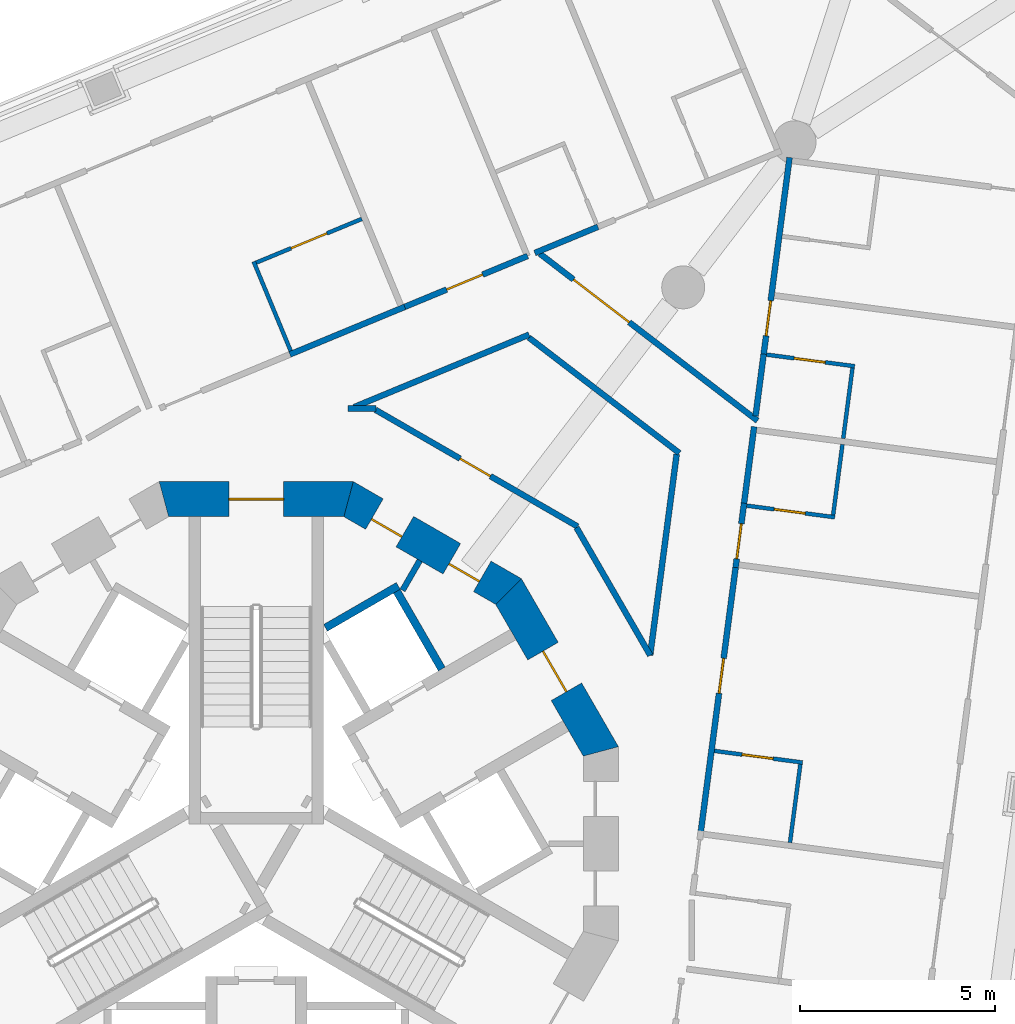
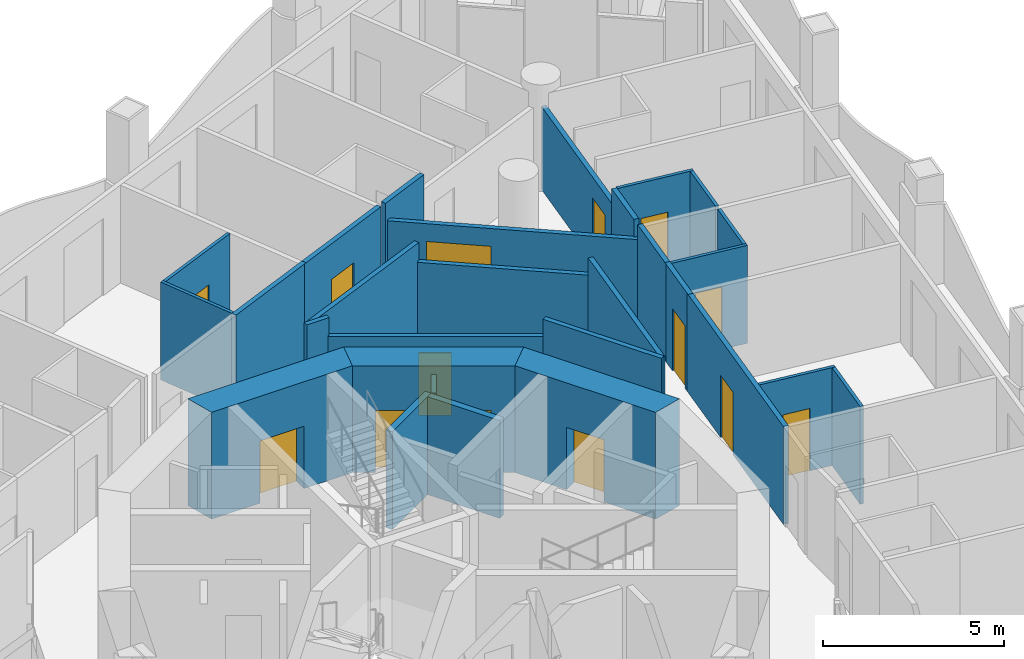
# One storey, part 9 of 18: 29 walls, 14 doors, 14 openings.
"""IFC4 building model written with IfcOpenShell, lengths in metres."""

from ifc_helpers import new_model, si_unit, direction, frame, frame_2d, origin, place, context, subcontext, project, spatial, polyline, rectangle, outline, extrude, material, layer, layer_set, type_object, element, fill, save


model = new_model("IFC4")

# Units and contexts
model_context = context("Model", 3, precision=1e-05, world=origin(), true_north=direction((0.0, 1.0)))
body_context = subcontext(model_context, "Body", "Model", "MODEL_VIEW")
ifc_project = project(units=[si_unit("LENGTHUNIT", "METRE"), si_unit("AREAUNIT", "SQUARE_METRE"), si_unit("VOLUMEUNIT", "CUBIC_METRE"), si_unit("PLANEANGLEUNIT", "RADIAN"), si_unit("MASSUNIT", "GRAM", prefix="KILO")], contexts=[model_context])

# Site, building, storey
site_placement = place(None, origin())
site = spatial("IfcSite", under=ifc_project, at=site_placement, CompositionType="ELEMENT")
building_placement = place(site_placement, origin())
building = spatial("IfcBuilding", under=site, at=building_placement, Name="Trine Commons Tower", CompositionType="ELEMENT")
storey_placement = place(building_placement, frame((0.0, 0.0, 145.800048828125)))
storey = spatial("IfcBuildingStorey", under=building, at=storey_placement, Name="L37", CompositionType="ELEMENT", Elevation=145.800048828125)

# Wall
ifc_material_1 = material(Name="Plasterboard partition on steel studs", Category="steel")
ifc_layer_1 = layer(ifc_material_1, 0.14990234375)
ifc_layer_set_1 = layer_set([ifc_layer_1], Name="Plasterboard partition on steel studs")
wall_type_1 = type_object("IfcWallType", Name="Core room partition 150 mm, EI 60", PredefinedType="PARTITIONING", material=ifc_layer_set_1)
wall_1_placement = place(storey_placement, frame((84.18603515625, 69.7509765625, 0.0), z_axis=(0.0, 0.0, 1.0), x_axis=(-0.499890179513, -0.866088799389, 0.0)))
element("IfcWall", 1, at=wall_1_placement, inside=storey, type_object=wall_type_1, Name="Core room partition L37", PredefinedType="PARTITIONING", context=body_context, shape_type="SweptSolid", body=[
    extrude(rectangle(XDim=0.882080078125, YDim=0.14990234375, at=frame_2d((0.44091796875, 0.0))), origin(), (0.0, 0.0, 1.0), 3.300048828125),
])

# Wall, opening, door
ifc_material_2 = material(Name="Concrete C70/85", Category="concrete")
ifc_layer_2 = layer(ifc_material_2, 0.89990234375)
ifc_layer_set_2 = layer_set([ifc_layer_2], Name="Concrete C70/85")
wall_type_2 = type_object("IfcWallType", Name="RC shear wall 900 mm, C70/85", PredefinedType="SHEAR", material=ifc_layer_set_2)
wall_2_placement = place(storey_placement, frame((88.88330078125, 64.759765625, 0.0), z_axis=(0.0, 0.0, 1.0), x_axis=(-0.500038571144, 0.866003133579, 0.0)))
wall_2 = element("IfcWall", 2, at=wall_2_placement, inside=storey, type_object=wall_type_2, Name="Core wall CWD-02 L37", PredefinedType="SHEAR", context=body_context, shape_type="SweptSolid", body=[
    extrude(outline(polyline([(0.0, -0.449951171875), (4.96923828125, -0.449951171875), (4.72802734375, 0.449951171875), (0.2412109375, 0.449951171875), (0.0, -0.449951171875)])), origin(), (0.0, 0.0, 1.0), 3.599853515625),
])
opening_1_placement = place(wall_2_placement, frame((1.884521484375, 0.0, 0.0)))
opening_1 = element("IfcOpeningElement", 3, at=opening_1_placement, cuts=wall_2, Name="Opening K12.04", PredefinedType="OPENING", context=body_context, shape_type="SweptSolid", body=[
    extrude(rectangle(XDim=1.199951171875, YDim=2.10009765625, at=frame_2d((0.60009765625, 1.050048828125))), frame((0.0, 0.4599609375, 0.0), z_axis=(0.0, -1.0, 0.0), x_axis=(1.0, 0.0, 0.0)), (0.0, 0.0, 1.0), 0.919921875),
])
ifc_material_3 = material(Name="Steel door leaves, fire-rated", Category="steel")
door_type_1 = type_object("IfcDoorType", Name="Lobby door, double leaf 1200 x 2100, FD60", OperationType="DOUBLE_DOOR_SINGLE_SWING", PredefinedType="DOOR", material=ifc_material_3)
door_1_placement = place(opening_1_placement, origin())
door_1 = element("IfcDoor", 4, at=door_1_placement, inside=storey, type_object=door_type_1, Name="Lobby door, Passenger lift lobby A L37", OperationType="DOUBLE_DOOR_SINGLE_SWING", OverallHeight=2.10009765625, OverallWidth=1.199951171875, PredefinedType="DOOR", context=body_context, shape_type="SweptSolid", body=[
    extrude(rectangle(XDim=1.199951171875, YDim=2.10009765625, at=frame_2d((0.60009765625, 1.050048828125))), frame((0.0, 0.02490234375, 0.0), z_axis=(0.0, -1.0, 0.0), x_axis=(1.0, 0.0, 0.0)), (0.0, 0.0, 1.0), 0.050048828125),
])
fill(opening_1, door_1)

# Wall, openings, doors
wall_3_placement = place(storey_placement, frame((86.563232421875, 68.8984375, 0.0), z_axis=(0.0, 0.0, 1.0), x_axis=(-0.866003133579, 0.500038571144, 0.0)))
wall_3 = element("IfcWall", 5, at=wall_3_placement, inside=storey, type_object=wall_type_2, Name="Core wall CWD-03 L37", PredefinedType="SHEAR", context=body_context, shape_type="SweptSolid", body=[
    extrude(outline(polyline([(0.0, -0.449951171875), (4.96923828125, -0.449951171875), (4.72802734375, 0.449951171875), (0.2412109375, 0.449951171875), (0.0, -0.449951171875)])), origin(), (0.0, 0.0, 1.0), 3.599853515625),
])
opening_2_placement = place(wall_3_placement, frame((0.89599609375, 0.0, 0.0)))
opening_2 = element("IfcOpeningElement", 6, at=opening_2_placement, cuts=wall_3, Name="Opening K12.12", PredefinedType="OPENING", context=body_context, shape_type="SweptSolid", body=[
    extrude(rectangle(XDim=0.89990234375, YDim=2.10009765625, at=frame_2d((0.449951171875, 1.050048828125))), frame((0.0, 0.4599609375, 0.0), z_axis=(0.0, -1.0, 0.0), x_axis=(1.0, 0.0, 0.0)), (0.0, 0.0, 1.0), 0.919921875),
])
opening_3_placement = place(wall_3_placement, frame((3.18505859375, 0.0, 0.0)))
opening_3 = element("IfcOpeningElement", 7, at=opening_3_placement, cuts=wall_3, Name="Opening K12.13", PredefinedType="OPENING", context=body_context, shape_type="SweptSolid", body=[
    extrude(rectangle(XDim=0.89990234375, YDim=2.10009765625, at=frame_2d((0.449951171875, 1.050048828125))), frame((0.0, 0.4599609375, 0.0), z_axis=(0.0, -1.0, 0.0), x_axis=(1.0, 0.0, 0.0)), (0.0, 0.0, 1.0), 0.919921875),
])
ifc_material_4 = material(Name="Steel door leaf, fire-rated", Category="steel")
door_type_2 = type_object("IfcDoorType", Name="Core room door, single leaf 900 x 2100, FD30S", OperationType="SINGLE_SWING_LEFT", PredefinedType="DOOR", material=ifc_material_4)
door_2_placement = place(opening_2_placement, origin())
door_2 = element("IfcDoor", 8, at=door_2_placement, inside=storey, type_object=door_type_2, Name="Door to Parcel store L37", OperationType="SINGLE_SWING_LEFT", OverallHeight=2.10009765625, OverallWidth=0.89990234375, PredefinedType="DOOR", context=body_context, shape_type="SweptSolid", body=[
    extrude(rectangle(XDim=0.89990234375, YDim=2.10009765625, at=frame_2d((0.449951171875, 1.050048828125))), frame((0.0, 0.1748046875, 0.0), z_axis=(0.0, -1.0, 0.0), x_axis=(1.0, 0.0, 0.0)), (0.0, 0.0, 1.0), 0.050048828125),
])
fill(opening_2, door_2)
door_3_placement = place(opening_3_placement, origin())
door_3 = element("IfcDoor", 9, at=door_3_placement, inside=storey, type_object=door_type_2, Name="Door to Print room L37", OperationType="SINGLE_SWING_RIGHT", OverallHeight=2.10009765625, OverallWidth=0.89990234375, PredefinedType="DOOR", context=body_context, shape_type="SweptSolid", body=[
    extrude(rectangle(XDim=0.89990234375, YDim=2.10009765625, at=frame_2d((0.449951171875, 1.050048828125))), frame((0.0, 0.1748046875, 0.0), z_axis=(0.0, -1.0, 0.0), x_axis=(1.0, 0.0, 0.0)), (0.0, 0.0, 1.0), 0.050048828125),
])
fill(opening_3, door_3)

# Wall, opening, door
wall_4_placement = place(storey_placement, frame((82.484619140625, 71.322998046875, 0.0), z_axis=(0.0, 0.0, 1.0), x_axis=(-1.0, 0.0, 0.0)))
wall_4 = element("IfcWall", 10, at=wall_4_placement, inside=storey, type_object=wall_type_2, Name="Core wall CWD-04 L37", PredefinedType="SHEAR", context=body_context, shape_type="SweptSolid", body=[
    extrude(outline(polyline([(0.0, -0.449951171875), (4.969482421875, -0.449951171875), (4.728271484375, 0.449951171875), (0.2412109375, 0.449951171875), (0.0, -0.449951171875)])), origin(), (0.0, 0.0, 1.0), 3.599853515625),
])
opening_4_placement = place(wall_4_placement, frame((1.78466796875, 0.0, 0.0)))
opening_4 = element("IfcOpeningElement", 11, at=opening_4_placement, cuts=wall_4, Name="Opening K12.01", PredefinedType="OPENING", context=body_context, shape_type="SweptSolid", body=[
    extrude(rectangle(XDim=1.39990234375, YDim=2.10009765625, at=frame_2d((0.699951171875, 1.050048828125))), frame((0.0, 0.4599609375, 0.0), z_axis=(0.0, -1.0, 0.0), x_axis=(1.0, 0.0, 0.0)), (0.0, 0.0, 1.0), 0.919921875),
])
door_type_3 = type_object("IfcDoorType", Name="Stair door, double leaf 1400 x 2100, FD90", OperationType="DOUBLE_DOOR_SINGLE_SWING", PredefinedType="DOOR", material=ifc_material_3)
door_4_placement = place(opening_4_placement, origin())
door_4 = element("IfcDoor", 12, at=door_4_placement, inside=storey, type_object=door_type_3, Name="Stair door to Exit stair ST1B L37", OperationType="DOUBLE_DOOR_SINGLE_SWING", OverallHeight=2.10009765625, OverallWidth=1.39990234375, PredefinedType="DOOR", context=body_context, shape_type="SweptSolid", body=[
    extrude(rectangle(XDim=1.39990234375, YDim=2.10009765625, at=frame_2d((0.699951171875, 1.050048828125))), frame((0.0, 0.02490234375, 0.0), z_axis=(0.0, -1.0, 0.0), x_axis=(1.0, 0.0, 0.0)), (0.0, 0.0, 1.0), 0.050048828125),
])
fill(opening_4, door_4)

# Walls
ifc_material_5 = material(Name="Fire-rated gypsum shaft wall system")
ifc_layer_3 = layer(ifc_material_5, 0.199951171875)
ifc_layer_set_3 = layer_set([ifc_layer_3], Name="Fire-rated gypsum shaft wall system")
wall_type_3 = type_object("IfcWallType", Name="Shaft wall 200 mm, EI 120", PredefinedType="PARTITIONING", material=ifc_layer_set_3)
wall_5_placement = place(storey_placement, frame((81.77490234375, 68.028076171875, 0.0), z_axis=(0.0, 0.0, 1.0), x_axis=(0.866130725101, 0.499817533742, 0.0)))
element("IfcWall", 13, at=wall_5_placement, inside=storey, type_object=wall_type_3, Name="Shaft wall L37", PredefinedType="PARTITIONING", context=body_context, shape_type="SweptSolid", body=[
    extrude(rectangle(XDim=2.148681640625, YDim=0.199951171875, at=frame_2d((1.07421875, 0.0))), origin(), (0.0, 0.0, 1.0), 3.300048828125),
])
wall_6_placement = place(storey_placement, frame((84.7490234375, 66.97412109375, 0.0), z_axis=(0.0, 0.0, 1.0), x_axis=(-0.500136062276, 0.86594683394, 0.0)))
element("IfcWall", 14, at=wall_6_placement, inside=storey, type_object=wall_type_3, Name="Shaft wall L37", PredefinedType="PARTITIONING", context=body_context, shape_type="SweptSolid", body=[
    extrude(rectangle(XDim=2.299072265625, YDim=0.199951171875, at=frame_2d((1.1494140625, 0.0))), origin(), (0.0, 0.0, 1.0), 3.300048828125),
])
ifc_material_6 = material(Name="Gypsum plasterboard on steel stud", Category="steel")
ifc_layer_4 = layer(ifc_material_6, 0.14990234375)
ifc_layer_set_4 = layer_set([ifc_layer_4], Name="Gypsum plasterboard on steel stud")
wall_type_4 = type_object("IfcWallType", Name="Unit and corridor wall 150 mm, EI 60", PredefinedType="PARTITIONING", material=ifc_layer_set_4)
wall_7_placement = place(storey_placement, frame((80.86181640625, 75.02685546875, 0.0), z_axis=(0.0, 0.0, 1.0), x_axis=(0.923792409305, 0.382893698709, 0.0)))
element("IfcWall", 15, at=wall_7_placement, inside=storey, type_object=wall_type_4, Name="Partition 075", PredefinedType="PARTITIONING", context=body_context, shape_type="SweptSolid", body=[
    extrude(rectangle(XDim=3.18310546875, YDim=0.14990234375, at=frame_2d((1.591552734375, 0.0))), origin(), (0.0, 0.0, 1.0), 3.300048828125),
])
wall_8_placement = place(storey_placement, frame((82.35205078125, 73.64794921875, 0.0), z_axis=(0.0, 0.0, 1.0), x_axis=(1.0, 0.0, 0.0)))
element("IfcWall", 16, at=wall_8_placement, inside=storey, type_object=wall_type_4, Name="Partition 080", PredefinedType="PARTITIONING", context=body_context, shape_type="SweptSolid", body=[
    extrude(rectangle(XDim=0.7099609375, YDim=0.14990234375, at=frame_2d((0.35498046875, 0.0))), origin(), (0.0, 0.0, 1.0), 3.300048828125),
])
wall_9_placement = place(storey_placement, frame((82.500244140625, 73.6767578125, 0.0), z_axis=(0.0, 0.0, 1.0), x_axis=(0.923900404771, 0.382633038384, 0.0)))
element("IfcWall", 17, at=wall_9_placement, inside=storey, type_object=wall_type_4, Name="Partition 081", PredefinedType="PARTITIONING", context=body_context, shape_type="SweptSolid", body=[
    extrude(rectangle(XDim=4.855712890625, YDim=0.14990234375, at=frame_2d((2.427734375, 0.0))), origin(), (0.0, 0.0, 1.0), 3.300048828125),
])

# Wall, opening, door
wall_10_placement = place(storey_placement, frame((83.052001953125, 73.610595703125, 0.0), z_axis=(0.0, 0.0, 1.0), x_axis=(0.866039280689, -0.499975963725, 0.0)))
wall_10 = element("IfcWall", 18, at=wall_10_placement, inside=storey, type_object=wall_type_4, Name="Partition 084", PredefinedType="PARTITIONING", context=body_context, shape_type="SweptSolid", body=[
    extrude(rectangle(XDim=5.974365234375, YDim=0.14990234375, at=frame_2d((2.9873046875, 0.0))), origin(), (0.0, 0.0, 1.0), 2.699951171875),
])
opening_5_placement = place(wall_10_placement, frame((2.499755859375, 0.0, 0.0)))
opening_5 = element("IfcOpeningElement", 19, at=opening_5_placement, cuts=wall_10, Name="Opening D-4C34", PredefinedType="OPENING", context=body_context, shape_type="SweptSolid", body=[
    extrude(rectangle(XDim=0.89990234375, YDim=2.10009765625, at=frame_2d((0.449951171875, 1.050048828125))), frame((0.0, 0.0849609375, 0.0), z_axis=(0.0, -1.0, 0.0), x_axis=(1.0, 0.0, 0.0)), (0.0, 0.0, 1.0), 0.169921875),
])
ifc_material_7 = material(Name="Timber fire door set", Category="wood")
door_type_4 = type_object("IfcDoorType", Name="Service door 900 x 2100, FD30S", OperationType="NOTDEFINED", PredefinedType="DOOR", material=ifc_material_7)
door_5_placement = place(opening_5_placement, origin())
door_5 = element("IfcDoor", 20, at=door_5_placement, inside=storey, type_object=door_type_4, Name="Door D-4C34", OperationType="SINGLE_SWING_LEFT", OverallHeight=2.10009765625, OverallWidth=0.89990234375, PredefinedType="DOOR", context=body_context, shape_type="SweptSolid", body=[
    extrude(rectangle(XDim=0.89990234375, YDim=2.10009765625, at=frame_2d((0.449951171875, 1.050048828125))), frame((0.0, 0.02490234375, 0.0), z_axis=(0.0, -1.0, 0.0), x_axis=(1.0, 0.0, 0.0)), (0.0, 0.0, 1.0), 0.050048828125),
])
fill(opening_5, door_5)

wall_11_placement = place(storey_placement, frame((83.72509765625, 76.212890625, 0.0), z_axis=(0.0, 0.0, 1.0), x_axis=(0.923773530594, 0.382939243449, 0.0)))
wall_11 = element("IfcWall", 21, at=wall_11_placement, inside=storey, type_object=wall_type_4, Name="Partition 087", PredefinedType="PARTITIONING", context=body_context, shape_type="SweptSolid", body=[
    extrude(rectangle(XDim=3.48681640625, YDim=0.14990234375, at=frame_2d((1.743408203125, 0.0))), origin(), (0.0, 0.0, 1.0), 3.300048828125),
])
opening_6_placement = place(wall_11_placement, frame((1.243408203125, 0.0, 0.0)))
opening_6 = element("IfcOpeningElement", 22, at=opening_6_placement, cuts=wall_11, Name="Opening D-4C11", PredefinedType="OPENING", context=body_context, shape_type="SweptSolid", body=[
    extrude(rectangle(XDim=1.0, YDim=2.10009765625, at=frame_2d((0.5, 1.050048828125))), frame((0.0, 0.0849609375, 0.0), z_axis=(0.0, -1.0, 0.0), x_axis=(1.0, 0.0, 0.0)), (0.0, 0.0, 1.0), 0.169921875),
])
ifc_material_8 = material(Name="Painted timber", Category="wood")
door_type_5 = type_object("IfcDoorType", Name="Amenity room door 1000 x 2100, NOT RATED", OperationType="NOTDEFINED", PredefinedType="DOOR", material=ifc_material_8)
door_6_placement = place(opening_6_placement, origin())
door_6 = element("IfcDoor", 23, at=door_6_placement, inside=storey, type_object=door_type_5, Name="Door D-4C11", OperationType="SINGLE_SWING_LEFT", OverallHeight=2.10009765625, OverallWidth=1.0, PredefinedType="DOOR", context=body_context, shape_type="SweptSolid", body=[
    extrude(rectangle(XDim=1.0, YDim=2.10009765625, at=frame_2d((0.5, 1.050048828125))), frame((0.0, 0.02490234375, 0.0), z_axis=(0.0, -1.0, 0.0), x_axis=(1.0, 0.0, 0.0)), (0.0, 0.0, 1.0), 0.050048828125),
])
fill(opening_6, door_6)

# Walls
wall_12_placement = place(storey_placement, frame((86.9765625, 75.46044921875, 0.0), z_axis=(0.0, 0.0, 1.0), x_axis=(0.79343006196, -0.608661430335, 0.0)))
element("IfcWall", 24, at=wall_12_placement, inside=storey, type_object=wall_type_4, Name="Partition 095", PredefinedType="PARTITIONING", context=body_context, shape_type="SweptSolid", body=[
    extrude(rectangle(XDim=4.85986328125, YDim=0.14990234375, at=frame_2d((2.429931640625, 0.0))), origin(), (0.0, 0.0, 1.0), 2.699951171875),
])
wall_13_placement = place(storey_placement, frame((87.130615234375, 77.624267578125, 0.0), z_axis=(0.0, 0.0, 1.0), x_axis=(0.923855258764, 0.382742029118, 0.0)))
element("IfcWall", 25, at=wall_13_placement, inside=storey, type_object=wall_type_4, Name="Partition 096", PredefinedType="PARTITIONING", context=body_context, shape_type="SweptSolid", body=[
    extrude(rectangle(XDim=1.749755859375, YDim=0.14990234375, at=frame_2d((0.875, 0.0))), origin(), (0.0, 0.0, 1.0), 3.300048828125),
])

# Wall, opening, door
wall_14_placement = place(storey_placement, frame((87.259521484375, 77.607421875, 0.0), z_axis=(0.0, 0.0, 1.0), x_axis=(0.79336631803, -0.608744515718, 0.0)))
wall_14 = element("IfcWall", 26, at=wall_14_placement, inside=storey, type_object=wall_type_4, Name="Partition 097", PredefinedType="PARTITIONING", context=body_context, shape_type="SweptSolid", body=[
    extrude(rectangle(XDim=7.0244140625, YDim=0.14990234375, at=frame_2d((3.51220703125, 0.0))), origin(), (0.0, 0.0, 1.0), 2.699951171875),
])
opening_7_placement = place(wall_14_placement, frame((1.086181640625, 0.0, 0.0)))
opening_7 = element("IfcOpeningElement", 27, at=opening_7_placement, cuts=wall_14, Name="Opening D-4C01", PredefinedType="OPENING", context=body_context, shape_type="SweptSolid", body=[
    extrude(rectangle(XDim=1.800048828125, YDim=2.10009765625, at=frame_2d((0.89990234375, 1.050048828125))), frame((0.0, 0.0849609375, 0.0), z_axis=(0.0, -1.0, 0.0), x_axis=(1.0, 0.0, 0.0)), (0.0, 0.0, 1.0), 0.169921875),
])
door_type_6 = type_object("IfcDoorType", Name="Cluster entrance door 1800 x 2100, double leaf, FD30S", OperationType="DOUBLE_DOOR_DOUBLE_SWING", PredefinedType="DOOR", material=ifc_material_7)
door_7_placement = place(opening_7_placement, origin())
door_7 = element("IfcDoor", 28, at=door_7_placement, inside=storey, type_object=door_type_6, Name="Door D-4C01", OperationType="DOUBLE_DOOR_DOUBLE_SWING", OverallHeight=2.10009765625, OverallWidth=1.800048828125, PredefinedType="DOOR", context=body_context, shape_type="SweptSolid", body=[
    extrude(rectangle(XDim=1.800048828125, YDim=2.10009765625, at=frame_2d((0.89990234375, 1.050048828125))), frame((0.0, 0.02490234375, 0.0), z_axis=(0.0, -1.0, 0.0), x_axis=(1.0, 0.0, 0.0)), (0.0, 0.0, 1.0), 0.050048828125),
])
fill(opening_7, door_7)

# Walls
wall_15_placement = place(storey_placement, frame((88.198486328125, 70.595947265625, 0.0), z_axis=(0.0, 0.0, 1.0), x_axis=(0.499871635049, -0.86609950264, 0.0)))
element("IfcWall", 29, at=wall_15_placement, inside=storey, type_object=wall_type_4, Name="Partition 104", PredefinedType="PARTITIONING", context=body_context, shape_type="SweptSolid", body=[
    extrude(rectangle(XDim=3.77783203125, YDim=0.14990234375, at=frame_2d((1.888916015625, 0.0))), origin(), (0.0, 0.0, 1.0), 3.300048828125),
])
wall_16_placement = place(storey_placement, frame((90.0849609375, 67.326904296875, 0.0), z_axis=(0.0, 0.0, 1.0), x_axis=(0.130647942506, 0.991428825039, 0.0)))
element("IfcWall", 30, at=wall_16_placement, inside=storey, type_object=wall_type_4, Name="Partition 115", PredefinedType="PARTITIONING", context=body_context, shape_type="SweptSolid", body=[
    extrude(rectangle(XDim=5.191162109375, YDim=0.14990234375, at=frame_2d((2.595703125, 0.0))), origin(), (0.0, 0.0, 1.0), 3.300048828125),
])

# Wall, opening, door
wall_17_placement = place(storey_placement, frame((91.3740234375, 62.751953125, 0.0), z_axis=(0.0, 0.0, 1.0), x_axis=(0.130544309052, 0.991442476079, 0.0)))
wall_17 = element("IfcWall", 31, at=wall_17_placement, inside=storey, type_object=wall_type_4, Name="Partition 127", PredefinedType="PARTITIONING", context=body_context, shape_type="SweptSolid", body=[
    extrude(rectangle(XDim=6.962646484375, YDim=0.14990234375, at=frame_2d((3.4814453125, 0.0))), origin(), (0.0, 0.0, 1.0), 3.300048828125),
])
opening_8_placement = place(wall_17_placement, frame((3.6318359375, 0.0, 0.0)))
opening_8 = element("IfcOpeningElement", 32, at=opening_8_placement, cuts=wall_17, Name="Opening D-4C17", PredefinedType="OPENING", context=body_context, shape_type="SweptSolid", body=[
    extrude(rectangle(XDim=0.89990234375, YDim=2.10009765625, at=frame_2d((0.449951171875, 1.050048828125))), frame((0.0, 0.0849609375, 0.0), z_axis=(0.0, -1.0, 0.0), x_axis=(1.0, 0.0, 0.0)), (0.0, 0.0, 1.0), 0.169921875),
])
door_type_7 = type_object("IfcDoorType", Name="Bedroom door 900 x 2100, FD30S", OperationType="NOTDEFINED", PredefinedType="DOOR", material=ifc_material_7)
door_8_placement = place(opening_8_placement, frame((0.89990234375, 0.0, 0.0), z_axis=(0.0, 0.0, 1.0), x_axis=(-1.0, 0.0, 0.0)))
door_8 = element("IfcDoor", 33, at=door_8_placement, inside=storey, type_object=door_type_7, Name="Door D-4C17", OperationType="SINGLE_SWING_LEFT", OverallHeight=2.10009765625, OverallWidth=0.89990234375, PredefinedType="DOOR", context=body_context, shape_type="SweptSolid", body=[
    extrude(rectangle(XDim=0.89990234375, YDim=2.10009765625, at=frame_2d((0.449951171875, 1.050048828125))), frame((0.0, 0.02490234375, 0.0), z_axis=(0.0, -1.0, 0.0), x_axis=(1.0, 0.0, 0.0)), (0.0, 0.0, 1.0), 0.050048828125),
])
fill(opening_8, door_8)

wall_18_placement = place(storey_placement, frame((92.272216796875, 69.572509765625, 0.0), z_axis=(0.0, 0.0, 1.0), x_axis=(0.130218790516, 0.991485283096, 0.0)))
wall_18 = element("IfcWall", 34, at=wall_18_placement, inside=storey, type_object=wall_type_4, Name="Partition 131", PredefinedType="PARTITIONING", context=body_context, shape_type="SweptSolid", body=[
    extrude(rectangle(XDim=1.6611328125, YDim=0.14990234375, at=frame_2d((0.83056640625, 0.0))), origin(), (0.0, 0.0, 1.0), 3.300048828125),
])
opening_9_placement = place(wall_18_placement, frame((0.22900390625, 0.0, 0.0)))
opening_9 = element("IfcOpeningElement", 35, at=opening_9_placement, cuts=wall_18, Name="Opening D-4C16", PredefinedType="OPENING", context=body_context, shape_type="SweptSolid", body=[
    extrude(rectangle(XDim=0.89990234375, YDim=2.10009765625, at=frame_2d((0.449951171875, 1.050048828125))), frame((0.0, 0.0849609375, 0.0), z_axis=(0.0, -1.0, 0.0), x_axis=(1.0, 0.0, 0.0)), (0.0, 0.0, 1.0), 0.169921875),
])
door_9_placement = place(opening_9_placement, frame((0.89990234375, 0.0, 0.0), z_axis=(0.0, 0.0, 1.0), x_axis=(-1.0, 0.0, 0.0)))
door_9 = element("IfcDoor", 36, at=door_9_placement, inside=storey, type_object=door_type_7, Name="Door D-4C16", OperationType="SINGLE_SWING_RIGHT", OverallHeight=2.10009765625, OverallWidth=0.89990234375, PredefinedType="DOOR", context=body_context, shape_type="SweptSolid", body=[
    extrude(rectangle(XDim=0.89990234375, YDim=2.10009765625, at=frame_2d((0.449951171875, 1.050048828125))), frame((0.0, 0.02490234375, 0.0), z_axis=(0.0, -1.0, 0.0), x_axis=(1.0, 0.0, 0.0)), (0.0, 0.0, 1.0), 0.050048828125),
])
fill(opening_9, door_9)

# Walls
wall_19_placement = place(storey_placement, frame((92.48095703125, 71.162109375, 0.0), z_axis=(0.0, 0.0, 1.0), x_axis=(0.130786921313, 0.991410500859, 0.0)))
element("IfcWall", 37, at=wall_19_placement, inside=storey, type_object=wall_type_4, Name="Partition 133", PredefinedType="PARTITIONING", context=body_context, shape_type="SweptSolid", body=[
    extrude(rectangle(XDim=2.032958984375, YDim=0.14990234375, at=frame_2d((1.0166015625, 0.0))), origin(), (0.0, 0.0, 1.0), 3.300048828125),
])
wall_20_placement = place(storey_placement, frame((92.78271484375, 73.451416015625, 0.0), z_axis=(0.0, 0.0, 1.0), x_axis=(0.130312245432, 0.991473004519, 0.0)))
element("IfcWall", 38, at=wall_20_placement, inside=storey, type_object=wall_type_4, Name="Partition 139", PredefinedType="PARTITIONING", context=body_context, shape_type="SweptSolid", body=[
    extrude(rectangle(XDim=1.59814453125, YDim=0.14990234375, at=frame_2d((0.799072265625, 0.0))), origin(), (0.0, 0.0, 1.0), 3.300048828125),
])

# Wall, opening, door
wall_21_placement = place(storey_placement, frame((92.9833984375, 74.978515625, 0.0), z_axis=(0.0, 0.0, 1.0), x_axis=(0.130587368937, 0.991436805386, 0.0)))
wall_21 = element("IfcWall", 39, at=wall_21_placement, inside=storey, type_object=wall_type_4, Name="Partition 140", PredefinedType="PARTITIONING", context=body_context, shape_type="SweptSolid", body=[
    extrude(rectangle(XDim=5.1337890625, YDim=0.14990234375, at=frame_2d((2.56689453125, 0.0))), origin(), (0.0, 0.0, 1.0), 2.800048828125),
])
opening_10_placement = place(wall_21_placement, frame((0.531982421875, 0.0, 0.0)))
opening_10 = element("IfcOpeningElement", 40, at=opening_10_placement, cuts=wall_21, Name="Opening D-4C15", PredefinedType="OPENING", context=body_context, shape_type="SweptSolid", body=[
    extrude(rectangle(XDim=0.89990234375, YDim=2.10009765625, at=frame_2d((0.449951171875, 1.050048828125))), frame((0.0, 0.0849609375, 0.0), z_axis=(0.0, -1.0, 0.0), x_axis=(1.0, 0.0, 0.0)), (0.0, 0.0, 1.0), 0.169921875),
])
door_10_placement = place(opening_10_placement, frame((0.89990234375, 0.0, 0.0), z_axis=(0.0, 0.0, 1.0), x_axis=(-1.0, 0.0, 0.0)))
door_10 = element("IfcDoor", 41, at=door_10_placement, inside=storey, type_object=door_type_7, Name="Door D-4C15", OperationType="SINGLE_SWING_RIGHT", OverallHeight=2.10009765625, OverallWidth=0.89990234375, PredefinedType="DOOR", context=body_context, shape_type="SweptSolid", body=[
    extrude(rectangle(XDim=0.89990234375, YDim=2.10009765625, at=frame_2d((0.449951171875, 1.050048828125))), frame((0.0, 0.02490234375, 0.0), z_axis=(0.0, -1.0, 0.0), x_axis=(1.0, 0.0, 0.0)), (0.0, 0.0, 1.0), 0.050048828125),
])
fill(opening_10, door_10)

# Wall
ifc_layer_5 = layer(ifc_material_6, 0.10009765625)
ifc_layer_set_5 = layer_set([ifc_layer_5], Name="Gypsum plasterboard on steel stud")
wall_type_5 = type_object("IfcWallType", Name="Unit partition 100 mm, no rating", PredefinedType="PARTITIONING", material=ifc_layer_set_5)
wall_22_placement = place(storey_placement, frame((79.934814453125, 77.404296875, 0.0), z_axis=(0.0, 0.0, 1.0), x_axis=(0.382737922871, -0.923856959922, 0.0)))
element("IfcWall", 42, at=wall_22_placement, inside=storey, type_object=wall_type_5, Name="Partition 072", PredefinedType="PARTITIONING", context=body_context, shape_type="SweptSolid", body=[
    extrude(rectangle(XDim=2.4755859375, YDim=0.10009765625, at=frame_2d((1.23779296875, 0.0))), origin(), (0.0, 0.0, 1.0), 3.300048828125),
])

# Wall, opening, door
wall_23_placement = place(storey_placement, frame((80.000244140625, 77.377197265625, 0.0), z_axis=(0.0, 0.0, 1.0), x_axis=(0.923906972489, 0.382617179681, 0.0)))
wall_23 = element("IfcWall", 43, at=wall_23_placement, inside=storey, type_object=wall_type_5, Name="Partition 073", PredefinedType="PARTITIONING", context=body_context, shape_type="SweptSolid", body=[
    extrude(rectangle(XDim=2.925048828125, YDim=0.10009765625, at=frame_2d((1.46240234375, 0.0))), origin(), (0.0, 0.0, 1.0), 3.300048828125),
])
opening_11_placement = place(wall_23_placement, frame((0.962646484375, 0.0, 0.0)))
opening_11 = element("IfcOpeningElement", 44, at=opening_11_placement, cuts=wall_23, Name="Opening D-4C43", PredefinedType="OPENING", context=body_context, shape_type="SweptSolid", body=[
    extrude(rectangle(XDim=1.0, YDim=2.10009765625, at=frame_2d((0.5, 1.050048828125))), frame((0.0, 0.06005859375, 0.0), z_axis=(0.0, -1.0, 0.0), x_axis=(1.0, 0.0, 0.0)), (0.0, 0.0, 1.0), 0.1201171875),
])
door_type_8 = type_object("IfcDoorType", Name="Internal door 1000 x 2100, NOT RATED", OperationType="NOTDEFINED", PredefinedType="DOOR", material=ifc_material_8)
door_11_placement = place(opening_11_placement, origin())
door_11 = element("IfcDoor", 45, at=door_11_placement, inside=storey, type_object=door_type_8, Name="Door D-4C43", OperationType="SINGLE_SWING_RIGHT", OverallHeight=2.10009765625, OverallWidth=1.0, PredefinedType="DOOR", context=body_context, shape_type="SweptSolid", body=[
    extrude(rectangle(XDim=1.0, YDim=2.10009765625, at=frame_2d((0.5, 1.050048828125))), frame((0.0, 0.02490234375, 0.0), z_axis=(0.0, -1.0, 0.0), x_axis=(1.0, 0.0, 0.0)), (0.0, 0.0, 1.0), 0.050048828125),
])
fill(opening_11, door_11)

wall_24_placement = place(storey_placement, frame((91.7294921875, 64.878173828125, 0.0), z_axis=(0.0, 0.0, 1.0), x_axis=(0.991411518653, -0.130779205848, 0.0)))
wall_24 = element("IfcWall", 46, at=wall_24_placement, inside=storey, type_object=wall_type_5, Name="Partition 130", PredefinedType="PARTITIONING", context=body_context, shape_type="SweptSolid", body=[
    extrude(rectangle(XDim=2.275634765625, YDim=0.10009765625, at=frame_2d((1.1376953125, 0.0))), origin(), (0.0, 0.0, 1.0), 3.300048828125),
])
opening_12_placement = place(wall_24_placement, frame((0.712890625, 0.0, 0.0)))
opening_12 = element("IfcOpeningElement", 47, at=opening_12_placement, cuts=wall_24, Name="Opening D-4C49", PredefinedType="OPENING", context=body_context, shape_type="SweptSolid", body=[
    extrude(rectangle(XDim=0.800048828125, YDim=2.10009765625, at=frame_2d((0.39990234375, 1.050048828125))), frame((0.0, 0.06005859375, 0.0), z_axis=(0.0, -1.0, 0.0), x_axis=(1.0, 0.0, 0.0)), (0.0, 0.0, 1.0), 0.1201171875),
])
door_type_9 = type_object("IfcDoorType", Name="Internal door 800 x 2100, NOT RATED", OperationType="NOTDEFINED", PredefinedType="DOOR", material=ifc_material_8)
door_12_placement = place(opening_12_placement, origin())
door_12 = element("IfcDoor", 48, at=door_12_placement, inside=storey, type_object=door_type_9, Name="Door D-4C49", OperationType="SINGLE_SWING_LEFT", OverallHeight=2.10009765625, OverallWidth=0.800048828125, PredefinedType="DOOR", context=body_context, shape_type="SweptSolid", body=[
    extrude(rectangle(XDim=0.800048828125, YDim=2.10009765625, at=frame_2d((0.39990234375, 1.050048828125))), frame((0.0, 0.02490234375, 0.0), z_axis=(0.0, -1.0, 0.0), x_axis=(1.0, 0.0, 0.0)), (0.0, 0.0, 1.0), 0.050048828125),
])
fill(opening_12, door_12)

wall_25_placement = place(storey_placement, frame((92.556396484375, 71.15625, 0.0), z_axis=(0.0, 0.0, 1.0), x_axis=(0.991459774706, -0.130412864162, 0.0)))
wall_25 = element("IfcWall", 49, at=wall_25_placement, inside=storey, type_object=wall_type_5, Name="Partition 134", PredefinedType="PARTITIONING", context=body_context, shape_type="SweptSolid", body=[
    extrude(rectangle(XDim=2.274658203125, YDim=0.10009765625, at=frame_2d((1.13720703125, 0.0))), origin(), (0.0, 0.0, 1.0), 3.300048828125),
])
opening_13_placement = place(wall_25_placement, frame((0.71240234375, 0.0, 0.0)))
opening_13 = element("IfcOpeningElement", 50, at=opening_13_placement, cuts=wall_25, Name="Opening D-4C48", PredefinedType="OPENING", context=body_context, shape_type="SweptSolid", body=[
    extrude(rectangle(XDim=0.800048828125, YDim=2.10009765625, at=frame_2d((0.39990234375, 1.050048828125))), frame((0.0, 0.06005859375, 0.0), z_axis=(0.0, -1.0, 0.0), x_axis=(1.0, 0.0, 0.0)), (0.0, 0.0, 1.0), 0.1201171875),
])
door_13_placement = place(opening_13_placement, frame((0.800048828125, 0.0, 0.0), z_axis=(0.0, 0.0, 1.0), x_axis=(-1.0, 0.0, 0.0)))
door_13 = element("IfcDoor", 51, at=door_13_placement, inside=storey, type_object=door_type_9, Name="Door D-4C48", OperationType="SINGLE_SWING_RIGHT", OverallHeight=2.10009765625, OverallWidth=0.800048828125, PredefinedType="DOOR", context=body_context, shape_type="SweptSolid", body=[
    extrude(rectangle(XDim=0.800048828125, YDim=2.10009765625, at=frame_2d((0.39990234375, 1.050048828125))), frame((0.0, 0.02490234375, 0.0), z_axis=(0.0, -1.0, 0.0), x_axis=(1.0, 0.0, 0.0)), (0.0, 0.0, 1.0), 0.050048828125),
])
fill(opening_13, door_13)

wall_26_placement = place(storey_placement, frame((93.0654296875, 75.022216796875, 0.0), z_axis=(0.0, 0.0, 1.0), x_axis=(0.991459774706, -0.130412864162, 0.0)))
wall_26 = element("IfcWall", 52, at=wall_26_placement, inside=storey, type_object=wall_type_5, Name="Partition 141", PredefinedType="PARTITIONING", context=body_context, shape_type="SweptSolid", body=[
    extrude(rectangle(XDim=2.274658203125, YDim=0.10009765625, at=frame_2d((1.13720703125, 0.0))), origin(), (0.0, 0.0, 1.0), 3.300048828125),
])
opening_14_placement = place(wall_26_placement, frame((0.71240234375, 0.0, 0.0)))
opening_14 = element("IfcOpeningElement", 53, at=opening_14_placement, cuts=wall_26, Name="Opening D-4C47", PredefinedType="OPENING", context=body_context, shape_type="SweptSolid", body=[
    extrude(rectangle(XDim=0.800048828125, YDim=2.10009765625, at=frame_2d((0.39990234375, 1.050048828125))), frame((0.0, 0.06005859375, 0.0), z_axis=(0.0, -1.0, 0.0), x_axis=(1.0, 0.0, 0.0)), (0.0, 0.0, 1.0), 0.1201171875),
])
door_14_placement = place(opening_14_placement, origin())
door_14 = element("IfcDoor", 54, at=door_14_placement, inside=storey, type_object=door_type_9, Name="Door D-4C47", OperationType="SINGLE_SWING_LEFT", OverallHeight=2.10009765625, OverallWidth=0.800048828125, PredefinedType="DOOR", context=body_context, shape_type="SweptSolid", body=[
    extrude(rectangle(XDim=0.800048828125, YDim=2.10009765625, at=frame_2d((0.39990234375, 1.050048828125))), frame((0.0, 0.02490234375, 0.0), z_axis=(0.0, -1.0, 0.0), x_axis=(1.0, 0.0, 0.0)), (0.0, 0.0, 1.0), 0.050048828125),
])
fill(opening_14, door_14)

# Walls
wall_27_placement = place(storey_placement, frame((93.664794921875, 62.530517578125, 0.0), z_axis=(0.0, 0.0, 1.0), x_axis=(0.130741541504, 0.991416486309, 0.0)))
element("IfcWall", 55, at=wall_27_placement, inside=storey, type_object=wall_type_5, Name="Partition 147", PredefinedType="PARTITIONING", context=body_context, shape_type="SweptSolid", body=[
    extrude(rectangle(XDim=2.024169921875, YDim=0.10009765625, at=frame_2d((1.01220703125, 0.0))), origin(), (0.0, 0.0, 1.0), 3.300048828125),
])
for number, where, z_axis, x_axis, name in (
    (56, (94.7685546875, 70.91552734375, 0.0), (0.0, 0.0, 1.0), (0.130717543687, 0.991419650689, 0.0), "Partition 148"),
    (57, (95.02685546875, 72.873291015625, 0.0), (0.0, 0.0, 1.0), (0.130191453907, 0.991488873024, 0.0), "Partition 149"),
):
    element("IfcWall", number, at=place(storey_placement, frame(where, z_axis=z_axis, x_axis=x_axis)), inside=storey, type_object=wall_type_5, Name=name, PredefinedType="PARTITIONING", context=body_context, shape_type="SweptSolid", body=[
        extrude(rectangle(XDim=1.82470703125, YDim=0.10009765625, at=frame_2d((0.912353515625, 0.0))), origin(), (0.0, 0.0, 1.0), 3.300048828125),
    ])

save(model, "model.ifc")
